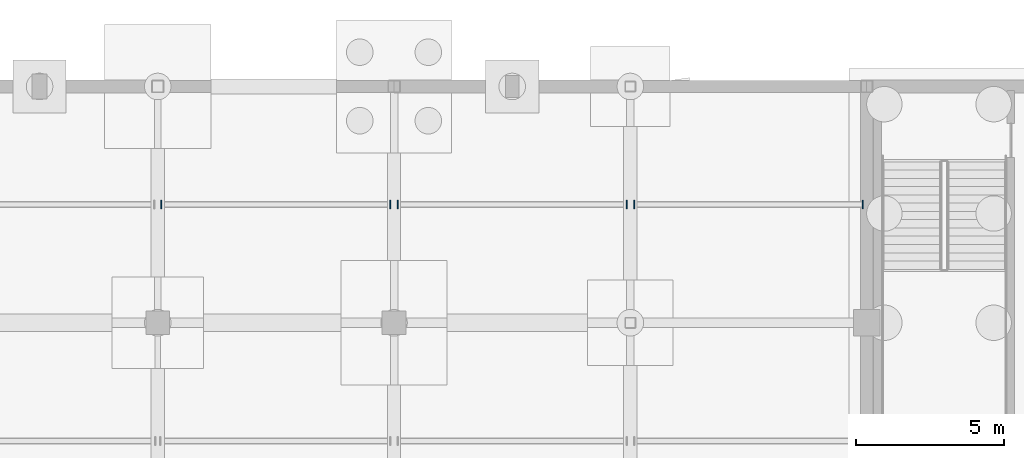
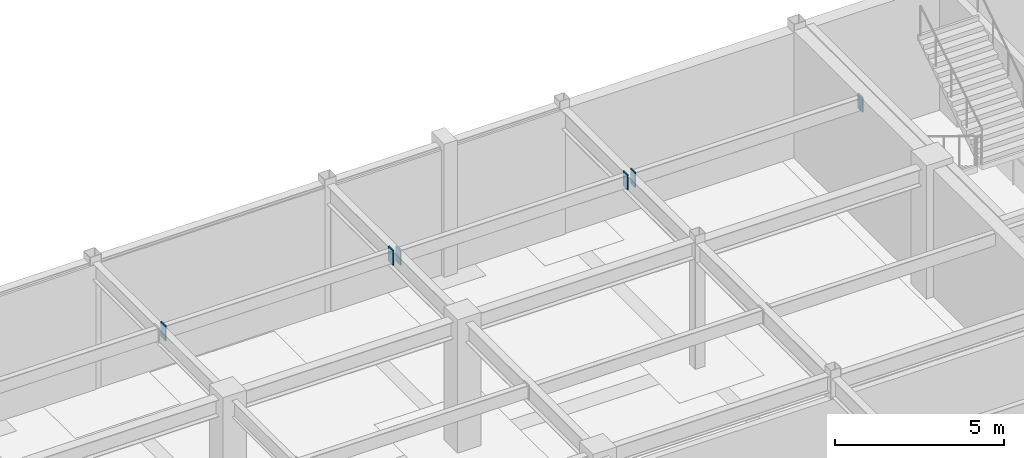
# One storey, part 87 of 105: 6 discrete accessories.
"""IFC4 building model written with IfcOpenShell, lengths in metres."""

from ifc_helpers import new_model, si_unit, direction, frame, origin, origin_2d, place, context, subcontext, project, spatial, rectangle, extrude, material, layer, layer_set, type_object, element, save


model = new_model("IFC4")

# Units and contexts
model_context = context("Model", 3, precision=1e-05, world=origin(), true_north=direction((0.0, 1.0)))
body_context = subcontext(model_context, "Body", "Model", "MODEL_VIEW")
ifc_project = project(units=[si_unit("LENGTHUNIT", "METRE"), si_unit("AREAUNIT", "SQUARE_METRE"), si_unit("VOLUMEUNIT", "CUBIC_METRE"), si_unit("PLANEANGLEUNIT", "RADIAN"), si_unit("MASSUNIT", "GRAM", prefix="KILO")], contexts=[model_context])

# Site, building, storey
site_placement = place(None, origin())
site = spatial("IfcSite", under=ifc_project, at=site_placement, CompositionType="ELEMENT")
building_placement = place(site_placement, origin())
building = spatial("IfcBuilding", under=site, at=building_placement, Name="Solmirada Galleria", CompositionType="ELEMENT")
storey_placement = place(building_placement, frame((0.0, 0.0, -4.800048828125)))
storey = spatial("IfcBuildingStorey", under=building, at=storey_placement, Name="B1", CompositionType="ELEMENT", Elevation=-4.800048828125)

# Discrete accessories
ifc_material = material(Name="Steel S355 / ASTM A572 Grade 50", Category="steel")
ifc_layer = layer(ifc_material, 0.031982421875)
ifc_layer_set = layer_set([ifc_layer], Name="Steel S355 / ASTM A572 Grade 50")
discrete_accessory_type = type_object("IfcDiscreteAccessoryType", Name="ACC-COL-CAP", PredefinedType="BRACKET", material=ifc_layer_set)
for number, where, z_axis, x_axis, name in (
    (1, (104.114013671875, 116.0, 4.08154296875), (0.0, 0.0, 1.0), (1.0, 0.0, 0.0), "Hollow joist end plate L00-14-15-L"),
    (2, (111.873046875, 116.0, 4.08154296875), (0.0, 0.0, 1.0), (1.0, 0.0, 0.0), "Hollow joist end plate L00-14-15-R"),
    (3, (112.126953125, 116.0, 4.00146484375), (0.0, 0.0, 1.0), (1.0, 0.0, 0.0), "Hollow joist end plate L00-15-15-L"),
    (4, (119.8720703125, 116.0, 4.00146484375), (0.0, 0.0, 1.0), (1.0, 0.0, 0.0), "Hollow joist end plate L00-15-15-R"),
    (5, (120.1279296875, 116.0, 4.00146484375), (0.0, 0.0, 1.0), (1.0, 0.0, 0.0), "Hollow joist end plate L00-16-15-L"),
    (6, (127.873046875, 116.0, 4.00146484375), (0.0, 0.0, 1.0), (1.0, 0.0, 0.0), "Hollow joist end plate L00-16-15-R"),
):
    element("IfcDiscreteAccessory", number, at=place(storey_placement, frame(where, z_axis=z_axis, x_axis=x_axis)), inside=storey, type_object=discrete_accessory_type, Name=name, PredefinedType="BRACKET", context=body_context, shape_type="SweptSolid", body=[
        extrude(rectangle(XDim=0.035888671875, YDim=0.280029296875, at=origin_2d()), origin(), (0.0, 0.0, 1.0), 0.5400390625),
    ])

save(model, "model.ifc")
